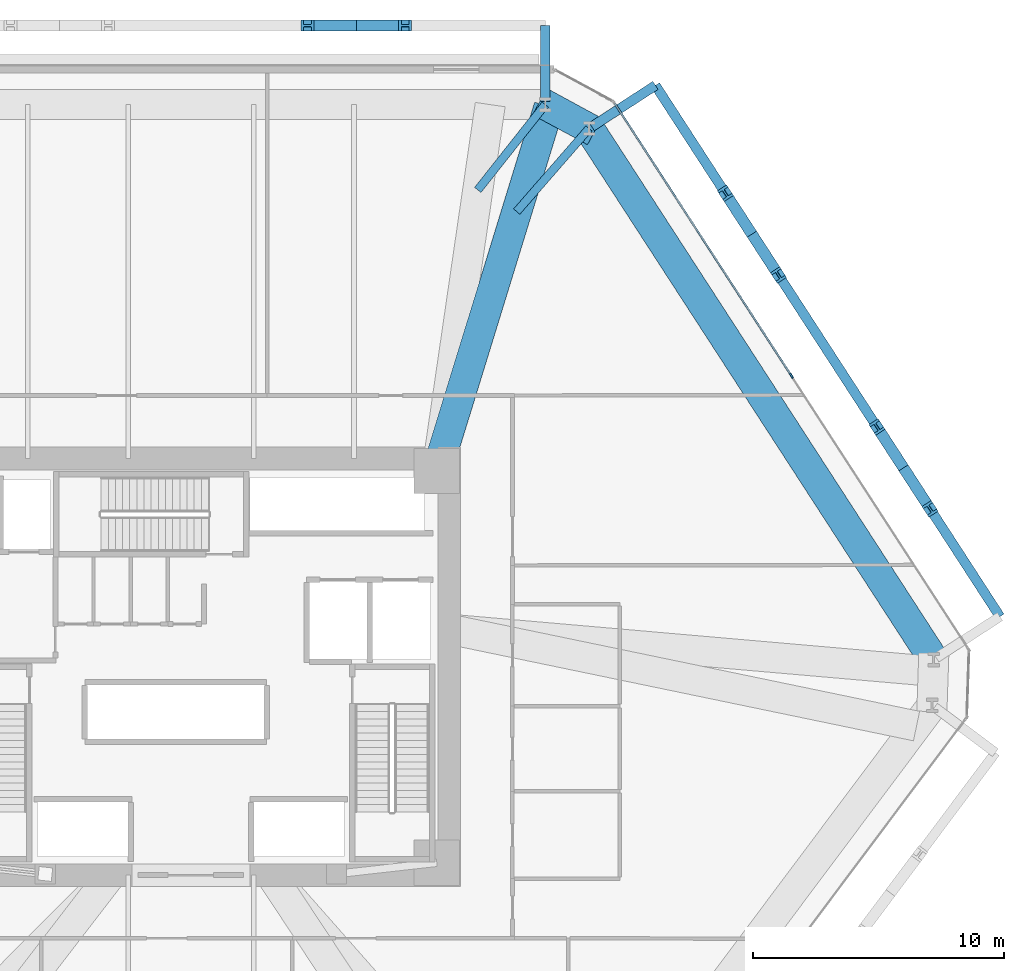
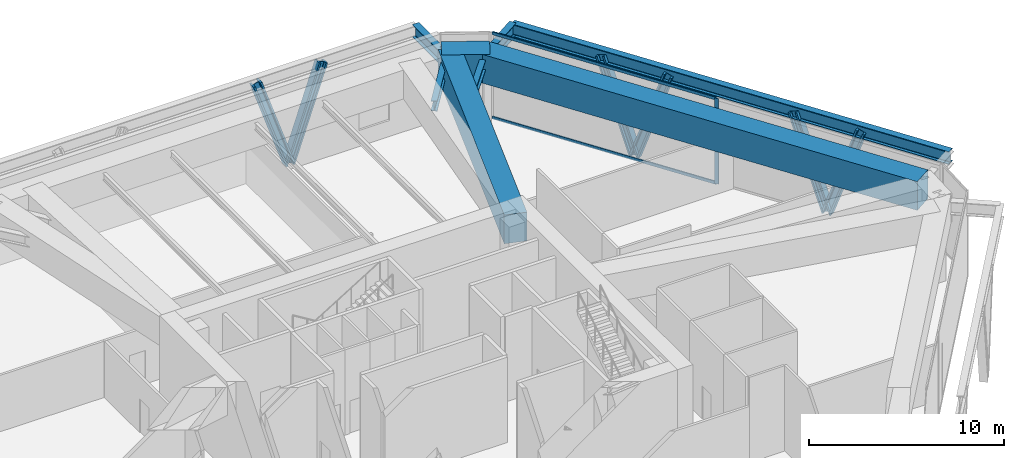
# One storey, part 10 of 19: 9 members, 8 beams, 1 element without a shape of its own.
"""IFC4 building model written with IfcOpenShell, lengths in metres."""

import ifcopenshell
import ifcopenshell.guid

model = None  # the IFC model being written
_history = None  # IfcOwnerHistory: only IFC2X3 demands one
_inside = {}  # id of a spatial element -> (the spatial element, [elements in it])
_under = {}  # id of a project, library or spatial element -> (it, [spatial elements below it])
_declared = {}  # id of a project -> (the project, [libraries it declares])
_typed = {}  # id of a type object -> (the type object, [elements of that type])
_made_of = {}  # id of a material, layer set ... -> (it, [elements and type objects made of it])


def new_model(schema):
    """Start an empty IFC model of exactly this schema.

    Asked for "IFC4X3", IfcOpenShell would pick the latest addendum, in which some entities
    have other attributes; the version numbers below select the first issue.
    IFC2X3 requires an IfcOwnerHistory on every rooted entity: one is made here for all.
    """
    global model, _history
    if schema == "IFC4X3":
        model = ifcopenshell.file(schema_version=(4, 3, 0, 0))
    else:
        model = ifcopenshell.file(schema=schema)
    _inside.clear()
    _under.clear()
    _declared.clear()
    _typed.clear()
    _made_of.clear()
    _history = None
    if model.schema == "IFC2X3":
        org = make("IfcOrganization", Name="unknown")
        user = make(
            "IfcPersonAndOrganization",
            ThePerson=make("IfcPerson", FamilyName="unknown"),
            TheOrganization=org,
        )
        app = make(
            "IfcApplication",
            ApplicationDeveloper=org,
            Version="unknown",
            ApplicationFullName="unknown",
            ApplicationIdentifier="unknown",
        )
        _history = make(
            "IfcOwnerHistory",
            OwningUser=user,
            OwningApplication=app,
            ChangeAction="ADDED",
            CreationDate=0,
        )
    return model


def make(cls, **values):
    """One entity of the class cls with the attributes given. An attribute that is None is left unset."""
    return model.create_entity(
        cls, **{name: value for name, value in values.items() if value is not None}
    )


def rooted(cls, **values):
    """An entity with a GlobalId (a new one), such as an element, a storey or a relation."""
    return make(cls, GlobalId=ifcopenshell.guid.new(), OwnerHistory=_history, **values)


def si_unit(unit_type, name, prefix=None):
    """IfcSIUnit, for example si_unit("LENGTHUNIT", "METRE", prefix="MILLI")."""
    return make("IfcSIUnit", UnitType=unit_type, Prefix=prefix, Name=name)


def assignment(units):
    """IfcUnitAssignment: the units of a project."""
    return None if units is None else make("IfcUnitAssignment", Units=units)


def point(xyz):
    """IfcCartesianPoint."""
    return None if xyz is None else make("IfcCartesianPoint", Coordinates=xyz)


def direction(xyz):
    """IfcDirection."""
    return None if xyz is None else make("IfcDirection", DirectionRatios=xyz)


def frame(location, z_axis=None, x_axis=None):
    """IfcAxis2Placement3D, a coordinate frame: its origin and axes. An axis left out is left unset."""
    return make(
        "IfcAxis2Placement3D",
        Location=point(location),
        Axis=direction(z_axis),
        RefDirection=direction(x_axis),
    )


def frame_2d(location, x_axis=None):
    """IfcAxis2Placement2D, a coordinate frame in the plane: its origin and x axis."""
    return make(
        "IfcAxis2Placement2D", Location=point(location), RefDirection=direction(x_axis)
    )


def origin():
    """The frame at (0, 0, 0) with its axes left unset."""
    return frame((0.0, 0.0, 0.0))


def origin_2d():
    """The frame at (0, 0) in the plane with its x axis left unset."""
    return frame_2d((0.0, 0.0))


def place(relative_to, where):
    """IfcLocalPlacement: puts the frame where relative to a parent placement (None: the world)."""
    return make(
        "IfcLocalPlacement", PlacementRelTo=relative_to, RelativePlacement=where
    )


def context(
    kind, dimensions, precision=None, world=None, true_north=None, identifier=None
):
    """IfcGeometricRepresentationContext, for example the 3D "Model" context."""
    return make(
        "IfcGeometricRepresentationContext",
        ContextIdentifier=identifier,
        ContextType=kind,
        CoordinateSpaceDimension=dimensions,
        Precision=precision,
        WorldCoordinateSystem=world,
        TrueNorth=true_north,
    )


def subcontext(parent, identifier, kind, view, scale=None):
    """IfcGeometricRepresentationSubContext, for example "Body" below "Model"."""
    return make(
        "IfcGeometricRepresentationSubContext",
        ContextIdentifier=identifier,
        ContextType=kind,
        ParentContext=parent,
        TargetScale=scale,
        TargetView=view,
    )


def project(units=None, contexts=None):
    """IfcProject with its units and contexts."""
    return rooted(
        "IfcProject",
        Name="project",
        RepresentationContexts=contexts,
        UnitsInContext=assignment(units),
    )


def spatial(cls, under=None, at=None, **own):
    """A site, building, storey or space (cls), placed at a placement, below another one or the project."""
    s = rooted(cls, ObjectPlacement=at, **own)
    if under is not None:
        _under.setdefault(under.id(), (under, []))[1].append(s)
    return s


def profile(cls, at=None, kind="AREA", **sizes):
    """A parametric profile (cls). Its sizes go by their IFC names, for example OverallWidth=200.0."""
    return make(cls, ProfileType=kind, Position=at, **sizes)


def rectangle(**sizes):
    """IfcRectangleProfileDef."""
    return profile("IfcRectangleProfileDef", **sizes)


def i_section(**sizes):
    """IfcIShapeProfileDef."""
    return profile("IfcIShapeProfileDef", **sizes)


def extrude(swept, where, along, depth):
    """IfcExtrudedAreaSolid: the profile swept, set in the frame where, extruded along a direction by depth."""
    return make(
        "IfcExtrudedAreaSolid",
        SweptArea=swept,
        Position=where,
        ExtrudedDirection=direction(along),
        Depth=depth,
    )


def shape(context_of_items, identifier, shape_type, items):
    """IfcShapeRepresentation: the items that make up one representation, for example the "Body"."""
    return make(
        "IfcShapeRepresentation",
        ContextOfItems=context_of_items,
        RepresentationIdentifier=identifier,
        RepresentationType=shape_type,
        Items=items,
    )


def source(mapping_origin, context_of_items, identifier, shape_type, items):
    """IfcRepresentationMap: a shape defined once, which mapped items show again and again."""
    return make(
        "IfcRepresentationMap",
        MappingOrigin=mapping_origin,
        MappedRepresentation=shape(context_of_items, identifier, shape_type, items),
    )


def transform(
    local_origin,
    x_axis=None,
    y_axis=None,
    z_axis=None,
    scale=None,
    scale2=None,
    scale3=None,
    uniform=True,
):
    """IfcCartesianTransformationOperator3D, or its non-uniform kind. x_axis, y_axis, z_axis: its Axis1, 2, 3."""
    if uniform:
        return make(
            "IfcCartesianTransformationOperator3D",
            Axis1=direction(x_axis),
            Axis2=direction(y_axis),
            LocalOrigin=point(local_origin),
            Scale=scale,
            Axis3=direction(z_axis),
        )
    return make(
        "IfcCartesianTransformationOperator3DnonUniform",
        Axis1=direction(x_axis),
        Axis2=direction(y_axis),
        LocalOrigin=point(local_origin),
        Scale=scale,
        Axis3=direction(z_axis),
        Scale2=scale2,
        Scale3=scale3,
    )


def mapped(mapping_source, mapping_target):
    """IfcMappedItem: shows the shape of a source again, moved by a transform."""
    return make(
        "IfcMappedItem", MappingSource=mapping_source, MappingTarget=mapping_target
    )


def material(Name=None, Category=None):
    """IfcMaterial."""
    return make("IfcMaterial", Name=Name, Category=Category)


def layer(
    of_material, thickness, ventilated=None, Name=None, Category=None, Priority=None
):
    """IfcMaterialLayer: one layer of a wall or slab, of a material (None: an air gap)."""
    return make(
        "IfcMaterialLayer",
        Material=of_material,
        LayerThickness=thickness,
        IsVentilated=ventilated,
        Name=Name,
        Category=Category,
        Priority=Priority,
    )


def layer_set(layers, Name=None):
    """IfcMaterialLayerSet."""
    return make("IfcMaterialLayerSet", MaterialLayers=layers, LayerSetName=Name)


def material_profile(
    of_material, cross_section, Name=None, Category=None, Priority=None
):
    """IfcMaterialProfile: a cross section and its material."""
    return make(
        "IfcMaterialProfile",
        Name=Name,
        Material=of_material,
        Profile=cross_section,
        Priority=Priority,
        Category=Category,
    )


def profile_set(profiles, Name=None, composite=None):
    """IfcMaterialProfileSet."""
    return make(
        "IfcMaterialProfileSet",
        Name=Name,
        MaterialProfiles=profiles,
        CompositeProfile=composite,
    )


def made_of(thing, what):
    """Note that an element or type object is made of a material, layer set ...; save() writes the relation."""
    if what is not None:
        _made_of.setdefault(what.id(), (what, []))[1].append(thing)
    return thing


def type_object(cls, material=None, **own):
    """A type object (cls), such as IfcWallType, which elements share."""
    return made_of(rooted(cls, **own), material)


def type_shapes(of_type, sources):
    """Give a type object the sources (RepresentationMaps) that its elements show as mapped items."""
    of_type.RepresentationMaps = sources


def element(
    cls,
    number,
    at=None,
    inside=None,
    cuts=None,
    type_object=None,
    material=None,
    context=None,
    identifier="Body",
    shape_type=None,
    held_by="IfcProductDefinitionShape",
    body=None,
    shapes=None,
    **own,
):
    """One element of the class cls, such as IfcWall. Its Tag is "e" and its number.

    at: its placement. inside: the storey or other place that contains it. cuts: it is an
    opening in that element (IfcRelVoidsElement). A single representation is given by context,
    identifier, shape_type and body (its items); several are given by shapes. held_by: the class
    of the entity that holds the representations. save() writes the other relations.
    """
    e = rooted(cls, Tag="e%d" % number, ObjectPlacement=at, **own)
    if body is not None:
        shapes = [shape(context, identifier, shape_type, body)]
    if shapes is not None:
        e.Representation = make(held_by, Representations=shapes)
    if inside is not None:
        _inside.setdefault(inside.id(), (inside, []))[1].append(e)
    if cuts is not None:
        rooted(
            "IfcRelVoidsElement", RelatingBuildingElement=cuts, RelatedOpeningElement=e
        )
    if type_object is not None:
        _typed.setdefault(type_object.id(), (type_object, []))[1].append(e)
    return made_of(e, material)


def aggregate(whole, parts):
    """IfcRelAggregates: a whole, such as a stair, and the parts it consists of."""
    return rooted("IfcRelAggregates", RelatingObject=whole, RelatedObjects=parts)


def save(model, path):
    """Write the relations noted so far, then the file.

    IfcRelAggregates (storeys below a building ...), IfcRelContainedInSpatialStructure (elements
    in a storey), IfcRelDefinesByType, IfcRelAssociatesMaterial and IfcRelDeclares: one each for
    every whole, place, type object, material and project.
    """
    for whole, parts in _under.values():
        aggregate(whole, parts)
    for where, things in _inside.values():
        rooted(
            "IfcRelContainedInSpatialStructure",
            RelatedElements=things,
            RelatingStructure=where,
        )
    for kind, things in _typed.values():
        rooted("IfcRelDefinesByType", RelatedObjects=things, RelatingType=kind)
    for what, things in _made_of.values():
        rooted("IfcRelAssociatesMaterial", RelatedObjects=things, RelatingMaterial=what)
    for by, libraries in _declared.values():
        rooted("IfcRelDeclares", RelatingContext=by, RelatedDefinitions=libraries)
    model.write(path)


model = new_model("IFC4")

# Units and contexts
model_context = context("Model", 3, precision=1e-05, world=origin(), true_north=direction((0.0, 1.0)))
body_context = subcontext(model_context, "Body", "Model", "MODEL_VIEW")
ifc_project = project(units=[si_unit("LENGTHUNIT", "METRE"), si_unit("AREAUNIT", "SQUARE_METRE"), si_unit("VOLUMEUNIT", "CUBIC_METRE"), si_unit("PLANEANGLEUNIT", "RADIAN"), si_unit("MASSUNIT", "GRAM", prefix="KILO")], contexts=[model_context])

# Site, building, storey
site_placement = place(None, origin())
site = spatial("IfcSite", under=ifc_project, at=site_placement, CompositionType="ELEMENT")
building_placement = place(site_placement, origin())
building = spatial("IfcBuilding", under=site, at=building_placement, Name="Durnholm Broadcast Tower", CompositionType="ELEMENT")
storey_placement = place(building_placement, frame((0.0, 0.0, 26.800048828125)))
storey = spatial("IfcBuildingStorey", under=building, at=storey_placement, Name="L05", CompositionType="ELEMENT", Elevation=26.800048828125)

# Beams
ifc_material_1 = material(Name="Steel ASTM A992 Grade 50", Category="steel")
ifc_material_profile_1 = material_profile(ifc_material_1, i_section(OverallWidth=0.385009765625, OverallDepth=0.802978515625, WebThickness=0.023681640625, FlangeThickness=0.0419921875, FilletRadius=0.032958984375, at=origin_2d()), Name="W30X261")
ifc_profile_set_1 = profile_set([ifc_material_profile_1], Name="Steel ASTM A992 Grade 50")
beam_type_1 = type_object("IfcBeamType", Name="BM-EXO-TIE", PredefinedType="USERDEFINED", material=ifc_profile_set_1)
shared_shape_1 = source(origin(), body_context, "Body", "SweptSolid", [
    extrude(i_section(OverallWidth=0.385009765625, OverallDepth=0.802978515625, WebThickness=0.023681640625, FlangeThickness=0.0419921875, FilletRadius=0.032958984375, at=origin_2d()), origin(), (0.0, 0.0, 1.0), 3.024169921875),
])
for number, where, z_axis, x_axis, name in (
    (1, (15.97216796875, 21.519287109375, 4.6083984375), (0.839049936056, 0.544054413459, 0.0), (-0.544054413459, 0.839049936056, 0.0), "L05 exoskeleton stand-off tie bracket F3.2"),
    (2, (14.119384765625, 22.52587890625, 4.6083984375), (0.0, 1.0, 0.0), (-1.0, 0.0, 0.0), "L05 exoskeleton stand-off tie bracket F4.1"),
):
    element("IfcBeam", number, at=place(storey_placement, frame(where, z_axis=z_axis, x_axis=x_axis)), inside=storey, type_object=beam_type_1, Name=name, ObjectType="GIRDER", PredefinedType="USERDEFINED", context=body_context, shape_type="MappedRepresentation", body=[
        mapped(shared_shape_1, transform((0.0, 0.0, 0.0), x_axis=(1.0, 0.0, 0.0), y_axis=(0.0, 1.0, 0.0), z_axis=(0.0, 0.0, 1.0), scale=1.0)),
    ])
shared_shape_2 = source(origin(), body_context, "Body", "SweptSolid", [
    extrude(i_section(OverallWidth=0.385009765625, OverallDepth=0.802978515625, WebThickness=0.023681640625, FlangeThickness=0.0419921875, FilletRadius=0.032958984375, at=origin_2d()), origin(), (0.0, 0.0, 1.0), 25.222412109375),
])
type_shapes(beam_type_1, [shared_shape_1, shared_shape_2])
beam_1_placement = place(storey_placement, frame((32.2333984375, 2.002685546875, 4.6083984375), z_axis=(-0.544114686912, 0.839010850637, 0.0), x_axis=(-0.839010850637, -0.544114686912, 0.0)))
element("IfcBeam", 3, at=beam_1_placement, inside=storey, type_object=beam_type_1, Name="L05 exoskeleton collector spandrel F3", PredefinedType="SPANDREL", context=body_context, shape_type="MappedRepresentation", body=[
    mapped(shared_shape_2, transform((0.0, 0.0, 0.0), x_axis=(1.0, 0.0, 0.0), y_axis=(0.0, 1.0, 0.0), z_axis=(0.0, 0.0, 1.0), scale=1.0)),
])
ifc_material_2 = material(Name="Concrete C70/85", Category="concrete")
ifc_material_profile_2 = material_profile(ifc_material_2, rectangle(XDim=1.199951171875, YDim=1.800048828125, at=origin_2d()), Name="RC1200X1800")
ifc_profile_set_2 = profile_set([ifc_material_profile_2], Name="Concrete C70/85")
beam_type_2 = type_object("IfcBeamType", Name="BM-TG-RC1800", PredefinedType="USERDEFINED", material=ifc_profile_set_2)
shared_shape_3 = source(origin(), body_context, "Body", "SweptSolid", [
    extrude(rectangle(XDim=1.199951171875, YDim=1.800048828125, at=origin_2d()), origin(), (0.0, 0.0, 1.0), 25.22265625),
])
beam_2_placement = place(storey_placement, frame((15.866455078125, 21.45068359375, 4.4599609375), z_axis=(0.544117081794, -0.839009297505, 0.0), x_axis=(0.839009297505, 0.544117081794, 0.0)))
element("IfcBeam", 4, at=beam_2_placement, inside=storey, type_object=beam_type_2, Name="L05 perimeter transfer spandrel girder 07", PredefinedType="SPANDREL", context=body_context, shape_type="MappedRepresentation", body=[
    mapped(shared_shape_3, transform((0.0, 0.0, 0.0), x_axis=(1.0, 0.0, 0.0), y_axis=(0.0, 1.0, 0.0), z_axis=(0.0, 0.0, 1.0), scale=1.0)),
])
shared_shape_4 = source(origin(), body_context, "Body", "SweptSolid", [
    extrude(rectangle(XDim=1.199951171875, YDim=1.800048828125, at=origin_2d()), origin(), (0.0, 0.0, 1.0), 2.488525390625),
])
beam_3_placement = place(storey_placement, frame((13.899658203125, 22.519287109375, 4.4599609375), z_axis=(0.878681773424, -0.477407939871, 0.0), x_axis=(0.477407939871, 0.878681773424, 0.0)))
element("IfcBeam", 5, at=beam_3_placement, inside=storey, type_object=beam_type_2, Name="L05 perimeter transfer spandrel girder 06", PredefinedType="SPANDREL", context=body_context, shape_type="MappedRepresentation", body=[
    mapped(shared_shape_4, transform((0.0, 0.0, 0.0), x_axis=(1.0, 0.0, 0.0), y_axis=(0.0, 1.0, 0.0), z_axis=(0.0, 0.0, 1.0), scale=1.0)),
])
ifc_material_profile_3 = material_profile(ifc_material_1, i_section(OverallWidth=0.3291015625, OverallDepth=0.635009765625, WebThickness=0.017822265625, FlangeThickness=0.031005859375, FilletRadius=0.02783203125, at=origin_2d()), Name="W24X162")
ifc_profile_set_3 = profile_set([ifc_material_profile_3], Name="Steel ASTM A992 Grade 50")
beam_type_3 = type_object("IfcBeamType", Name="STL-SP-W24X162", PredefinedType="SPANDREL", material=ifc_profile_set_3)
shared_shape_5 = source(origin(), body_context, "Body", "SweptSolid", [
    extrude(i_section(OverallWidth=0.3291015625, OverallDepth=0.635009765625, WebThickness=0.017822265625, FlangeThickness=0.031005859375, FilletRadius=0.02783203125, at=origin_2d()), origin(), (0.0, 0.0, 1.0), 4.334228515625),
])
beam_4_placement = place(storey_placement, frame((14.119384765625, 22.39990234375, 4.739990234375), z_axis=(-0.620226717735, -0.78442260205, 0.0), x_axis=(0.78442260205, -0.620226717735, 0.0)))
element("IfcBeam", 6, at=beam_4_placement, inside=storey, type_object=beam_type_3, Name="L05 perimeter column collector tie 06", ObjectType="GIRDER", PredefinedType="USERDEFINED", context=body_context, shape_type="MappedRepresentation", body=[
    mapped(shared_shape_5, transform((0.0, 0.0, 0.0), x_axis=(1.0, 0.0, 0.0), y_axis=(0.0, 1.0, 0.0), z_axis=(0.0, 0.0, 1.0), scale=1.0)),
])
shared_shape_6 = source(origin(), body_context, "Body", "SweptSolid", [
    extrude(rectangle(XDim=1.199951171875, YDim=1.800048828125, at=origin_2d()), origin(), (0.0, 0.0, 1.0), 15.190673828125),
])
type_shapes(beam_type_2, [shared_shape_3, shared_shape_4, shared_shape_6])
beam_5_placement = place(storey_placement, frame((9.800048828125, 7.800048828125, 4.4599609375), z_axis=(0.294224757413, 0.955736256572, 0.0), x_axis=(-0.955736256572, 0.294224757413, 0.0)))
element("IfcBeam", 7, at=beam_5_placement, inside=storey, type_object=beam_type_2, Name="L05 radial setback transfer girder 07", ObjectType="GIRDER", PredefinedType="USERDEFINED", context=body_context, shape_type="MappedRepresentation", body=[
    mapped(shared_shape_6, transform((0.0, 0.0, 0.0), x_axis=(1.0, 0.0, 0.0), y_axis=(0.0, 1.0, 0.0), z_axis=(0.0, 0.0, 1.0), scale=1.0)),
])
shared_shape_7 = source(origin(), body_context, "Body", "SweptSolid", [
    extrude(i_section(OverallWidth=0.3291015625, OverallDepth=0.635009765625, WebThickness=0.017822265625, FlangeThickness=0.031005859375, FilletRadius=0.02783203125, at=origin_2d()), origin(), (0.0, 0.0, 1.0), 4.391845703125),
])
type_shapes(beam_type_3, [shared_shape_5, shared_shape_7])
beam_6_placement = place(storey_placement, frame((15.866455078125, 21.45068359375, 4.739990234375), z_axis=(-0.656641032334, -0.754203258184, 0.0), x_axis=(0.754203258184, -0.656641032334, 0.0)))
element("IfcBeam", 8, at=beam_6_placement, inside=storey, type_object=beam_type_3, Name="L05 perimeter column collector tie 07", ObjectType="GIRDER", PredefinedType="USERDEFINED", context=body_context, shape_type="MappedRepresentation", body=[
    mapped(shared_shape_7, transform((0.0, 0.0, 0.0), x_axis=(1.0, 0.0, 0.0), y_axis=(0.0, 1.0, 0.0), z_axis=(0.0, 0.0, 1.0), scale=1.0)),
])

# Members
ifc_material_3 = material(Name="Steel ASTM A913 Grade 65", Category="steel")
ifc_material_profile_4 = material_profile(ifc_material_3, i_section(OverallWidth=0.44189453125, OverallDepth=0.531494140625, WebThickness=0.06591796875, FlangeThickness=0.105712890625, FilletRadius=0.030517578125, at=origin_2d()), Name="W14X605")
ifc_profile_set_4 = profile_set([ifc_material_profile_4], Name="Steel ASTM A913 Grade 65")
member_type_1 = type_object("IfcMemberType", Name="STL-DG-W14X605", PredefinedType="BRACE", material=ifc_profile_set_4)
shared_shape_8 = source(origin(), body_context, "Body", "SweptSolid", [
    extrude(i_section(OverallWidth=0.44189453125, OverallDepth=0.531494140625, WebThickness=0.06591796875, FlangeThickness=0.105712890625, FilletRadius=0.030517578125, at=origin_2d()), origin(), (0.0, 0.0, 1.0), 6.00341796875),
])
type_shapes(member_type_1, [shared_shape_8])
for number, where, z_axis, x_axis, name in (
    (9, (28.390625, 7.927978515625, -1.071533203125), (0.176207490012, -0.271732852125, 0.946103682235), (0.839034101522, 0.544078832968, 0.0), "L05 stand-off diagrid brace F3.D1.1"),
    (10, (28.390625, 7.927978515625, -1.071533203125), (-0.176209437061, 0.271695187862, 0.946114136446), (-0.838996925284, -0.544136158847, 0.0), "L05 stand-off diagrid brace F3.D1.2"),
    (11, (22.35205078125, 17.2392578125, -1.071533203125), (0.176207490012, -0.271732852125, 0.946103682235), (0.839034101522, 0.544078832968, 0.0), "L05 stand-off diagrid brace F3.D2.1"),
    (12, (22.35205078125, 17.2392578125, -1.071533203125), (-0.176209437061, 0.271695187862, 0.946114136446), (-0.838996925284, -0.544136158847, 0.0), "L05 stand-off diagrid brace F3.D2.2"),
    (13, (6.58984375, 25.550048828125, -1.071533203125), (0.323830425483, 0.0, 0.946115138623), (0.0, 1.0, 0.0), "L05 stand-off diagrid brace F4.D1.1"),
    (14, (6.58984375, 25.550048828125, -1.071533203125), (-0.323866827071, 0.0, 0.946102678531), (0.0, -1.0, 0.0), "L05 stand-off diagrid brace F4.D1.2"),
):
    element("IfcMember", number, at=place(storey_placement, frame(where, z_axis=z_axis, x_axis=x_axis)), inside=storey, type_object=member_type_1, Name=name, PredefinedType="BRACE", context=body_context, shape_type="MappedRepresentation", body=[
        mapped(shared_shape_8, transform((0.0, 0.0, 0.0), x_axis=(1.0, 0.0, 0.0), y_axis=(0.0, 1.0, 0.0), z_axis=(0.0, 0.0, 1.0), scale=1.0)),
    ])

# Curtain wall, members
ifc_material_4 = material(Name="Aluminium and Solar Control IGU", Category="aluminium")
ifc_layer = layer(ifc_material_4, 0.219970703125)
ifc_layer_set = layer_set([ifc_layer], Name="Aluminium and Solar Control IGU")
curtain_wall_type = type_object("IfcCurtainWallType", Name="CW-SYS-2", PredefinedType="NOTDEFINED", material=ifc_layer_set)
curtain_wall_placement = place(storey_placement, origin())
curtain_wall = element("IfcCurtainWall", 15, at=curtain_wall_placement, inside=storey, type_object=curtain_wall_type, Name="L05 curtain wall CW-STUDIO CW-L05-F06", PredefinedType="NOTDEFINED")
ifc_material_5 = material(Name="Aluminium 6063-T6", Category="aluminium")
ifc_material_profile_5 = material_profile(ifc_material_5, rectangle(XDim=0.074951171875, YDim=0.179931640625, at=origin_2d()), Name="CWT75X180")
ifc_profile_set_5 = profile_set([ifc_material_profile_5], Name="Aluminium 6063-T6")
member_type_2 = type_object("IfcMemberType", Name="CW-SYS-2-TRN", PredefinedType="USERDEFINED", material=ifc_profile_set_5)
shared_shape_9 = source(origin(), body_context, "Body", "SweptSolid", [
    extrude(rectangle(XDim=0.074951171875, YDim=0.179931640625, at=origin_2d()), origin(), (0.0, 0.0, 1.0), 12.896728515625),
])
type_shapes(member_type_2, [shared_shape_9])
member_1_placement = place(storey_placement, frame((16.888427734375, 22.447998046875, 0.037353515625), z_axis=(0.544101072489, -0.839019679695, 0.0), x_axis=(0.839019679695, 0.544101072489, 0.0)))
member_1 = element("IfcMember", 16, at=member_1_placement, type_object=member_type_2, Name="CW-STUDIO transom 1.1", ObjectType="TRANSOM", PredefinedType="USERDEFINED", context=body_context, shape_type="MappedRepresentation", body=[
    mapped(shared_shape_9, transform((0.0, 0.0, 0.0), x_axis=(1.0, 0.0, 0.0), y_axis=(0.0, 1.0, 0.0), z_axis=(0.0, 0.0, 1.0), scale=1.0)),
])
member_2_placement = place(storey_placement, frame((16.888427734375, 22.447998046875, 5.322509765625), z_axis=(0.544101072489, -0.839019679695, 0.0), x_axis=(0.839019679695, 0.544101072489, 0.0)))
member_2 = element("IfcMember", 17, at=member_2_placement, type_object=member_type_2, Name="CW-STUDIO transom 1.2", ObjectType="TRANSOM", PredefinedType="USERDEFINED", context=body_context, shape_type="MappedRepresentation", body=[
    mapped(shared_shape_9, transform((0.0, 0.0, 0.0), x_axis=(1.0, 0.0, 0.0), y_axis=(0.0, 1.0, 0.0), z_axis=(0.0, 0.0, 1.0), scale=1.0)),
])
ifc_material_profile_6 = material_profile(ifc_material_5, rectangle(XDim=0.074951171875, YDim=0.219970703125, at=origin_2d()), Name="CWM75X220")
ifc_profile_set_6 = profile_set([ifc_material_profile_6], Name="Aluminium 6063-T6")
member_type_3 = type_object("IfcMemberType", Name="CW-SYS-2-MUL", PredefinedType="MULLION", material=ifc_profile_set_6)
shared_shape_10 = source(origin(), body_context, "Body", "SweptSolid", [
    extrude(rectangle(XDim=0.074951171875, YDim=0.219970703125, at=origin_2d()), origin(), (0.0, 0.0, 1.0), 5.35986328125),
])
type_shapes(member_type_3, [shared_shape_10])
member_3_placement = place(storey_placement, frame((23.926025390625, 11.59619140625, 0.0), z_axis=(0.0, 0.0, 1.0), x_axis=(0.839009373297, 0.544116964926, 0.0)))
member_3 = element("IfcMember", 18, at=member_3_placement, type_object=member_type_3, Name="CW-STUDIO mullion 2", PredefinedType="MULLION", context=body_context, shape_type="MappedRepresentation", body=[
    mapped(shared_shape_10, transform((0.0, 0.0, 0.0), x_axis=(1.0, 0.0, 0.0), y_axis=(0.0, 1.0, 0.0), z_axis=(0.0, 0.0, 1.0), scale=1.0)),
])
aggregate(curtain_wall, [member_3, member_1, member_2])

save(model, "model.ifc")
